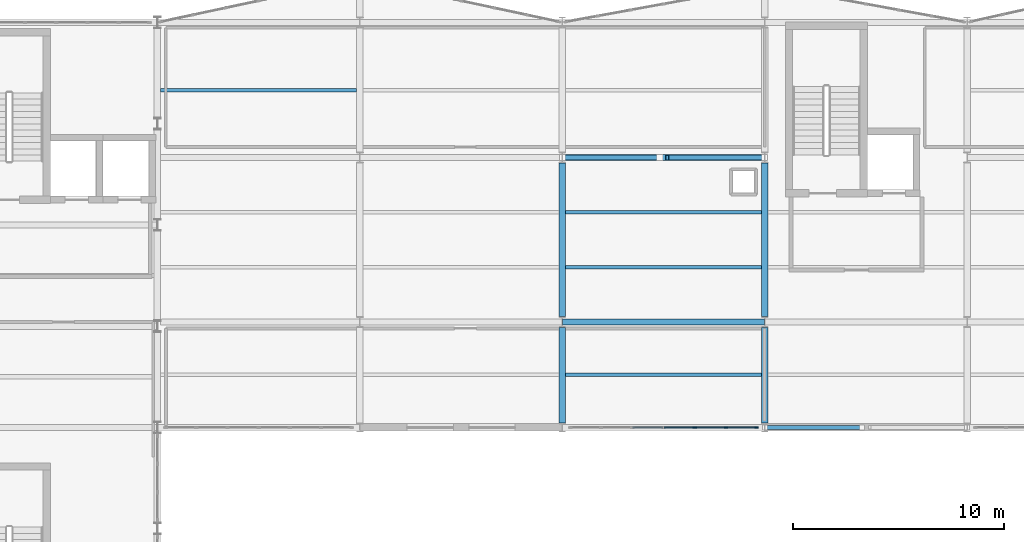
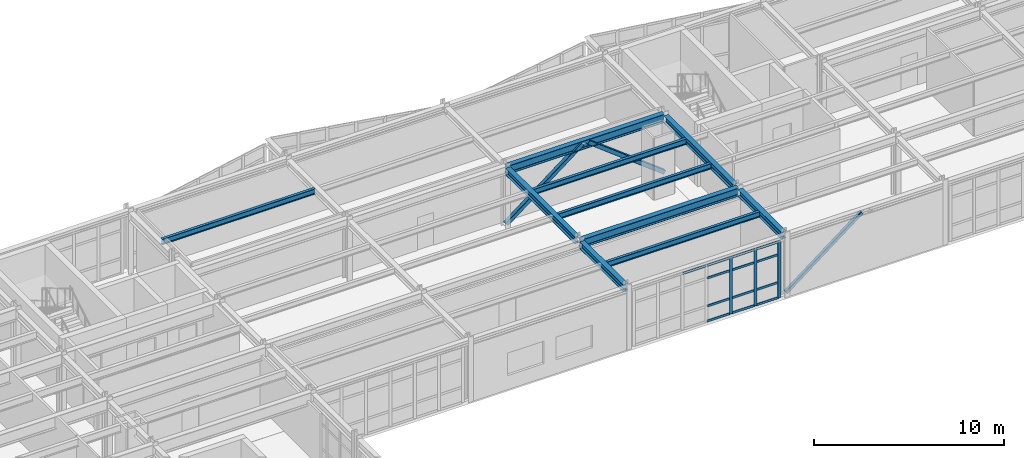
# One storey, part 36 of 88: 19 members, 10 beams, 1 element without a shape of its own.
"""IFC4 building model written with IfcOpenShell, lengths in metres."""

from ifc_helpers import new_model, si_unit, direction, frame, origin, origin_2d, place, context, subcontext, project, spatial, rectangle, hollow_rectangle, i_section, extrude, material, layer, layer_set, material_profile, profile_set, type_object, element, aggregate, save


model = new_model("IFC4")

# Units and contexts
model_context = context("Model", 3, precision=1e-05, world=origin(), true_north=direction((0.0, 1.0)))
body_context = subcontext(model_context, "Body", "Model", "MODEL_VIEW")
ifc_project = project(units=[si_unit("LENGTHUNIT", "METRE"), si_unit("AREAUNIT", "SQUARE_METRE"), si_unit("VOLUMEUNIT", "CUBIC_METRE"), si_unit("PLANEANGLEUNIT", "RADIAN"), si_unit("MASSUNIT", "GRAM", prefix="KILO")], contexts=[model_context])

# Site, building, storey
site_placement = place(None, origin())
site = spatial("IfcSite", under=ifc_project, at=site_placement, CompositionType="ELEMENT")
building_placement = place(site_placement, origin())
building = spatial("IfcBuilding", under=site, at=building_placement, Name="Nordkorset Police Headquarters", CompositionType="ELEMENT")
storey_placement = place(building_placement, frame((0.0, 0.0, 9.449951171875)))
storey = spatial("IfcBuildingStorey", under=building, at=storey_placement, Name="L02", CompositionType="ELEMENT", Elevation=9.449951171875)

# Beams
ifc_material_1 = material(Name="Steel S355J2", Category="steel")
ifc_material_profile_1 = material_profile(ifc_material_1, i_section(OverallWidth=0.169921875, OverallDepth=0.360107421875, WebThickness=0.008056640625, FlangeThickness=0.0126953125, FilletRadius=0.01806640625, at=origin_2d()), Name="IPE 360")
ifc_profile_set_1 = profile_set([ifc_material_profile_1], Name="Steel S355J2")
beam_type_1 = type_object("IfcBeamType", Name="Beam_IPE_360", PredefinedType="BEAM", material=ifc_profile_set_1)
for number, where, z_axis, x_axis, name in (
    (1, (28.949951171875, 113.60009765625, 3.7900390625), (1.0, 0.0, 0.0), (0.0, 1.0, 0.0), "Composite Floor Beam V2 L02 0-2-1"),
    (2, (48.14990234375, 100.10009765625, 3.7900390625), (1.0, 0.0, 0.0), (0.0, 1.0, 0.0), "Composite Floor Beam V2 L02 2-0-1"),
    (3, (48.14990234375, 105.199951171875, 3.7900390625), (1.0, 0.0, 0.0), (0.0, 1.0, 0.0), "Composite Floor Beam V2 L02 2-1-1"),
    (4, (48.14990234375, 107.800048828125, 3.7900390625), (1.0, 0.0, 0.0), (0.0, 1.0, 0.0), "Composite Floor Beam V2 L02 2-1-2"),
):
    element("IfcBeam", number, at=place(storey_placement, frame(where, z_axis=z_axis, x_axis=x_axis)), inside=storey, type_object=beam_type_1, Name=name, PredefinedType="BEAM", context=body_context, shape_type="SweptSolid", body=[
        extrude(i_section(OverallWidth=0.169921875, OverallDepth=0.360107421875, WebThickness=0.008056640625, FlangeThickness=0.0126953125, FilletRadius=0.01806640625, at=origin_2d()), origin(), (0.0, 0.0, 1.0), 9.300048828125),
    ])

# Members
ifc_material_2 = material(Name="Steel S355J2", Category="steel")
ifc_material_profile_2 = material_profile(ifc_material_2, hollow_rectangle(XDim=0.199951171875, YDim=0.199951171875, WallThickness=0.010009765625, InnerFilletRadius=0.010009765625, OuterFilletRadius=0.02001953125, at=origin_2d()), Name="SHS 200x200x10")
ifc_profile_set_2 = profile_set([ifc_material_profile_2], Name="Steel S355J2")
member_type_1 = type_object("IfcMemberType", Name="Brace_SHS_200x200x10", PredefinedType="BRACE", material=ifc_profile_set_2)
member_1_placement = place(storey_placement, frame((57.606689453125, 97.60009765625, 0.199951171875), z_axis=(0.792510158713, 0.0, 0.609858711783), x_axis=(0.0, 1.0, 0.0)))
element("IfcMember", 5, at=member_1_placement, inside=storey, type_object=member_type_1, Name="Lateral Chevron Brace BF-EXT-V2S L02 D1", PredefinedType="BRACE", context=body_context, shape_type="SweptSolid", body=[
    extrude(hollow_rectangle(XDim=0.199951171875, YDim=0.199951171875, WallThickness=0.010009765625, InnerFilletRadius=0.010009765625, OuterFilletRadius=0.02001953125, at=origin_2d()), origin(), (0.0, 0.0, 1.0), 5.821044921875),
])
ifc_material_3 = material(Name="Steel S355J2", Category="steel")
ifc_material_profile_3 = material_profile(ifc_material_3, hollow_rectangle(XDim=0.25, YDim=0.25, WallThickness=0.012451171875, InnerFilletRadius=0.012451171875, OuterFilletRadius=0.02490234375, at=origin_2d()), Name="SHS 250x250x12.5")
ifc_profile_set_3 = profile_set([ifc_material_profile_3], Name="Steel S355J2")
member_type_2 = type_object("IfcMemberType", Name="Brace_SHS_250x250x12.5", PredefinedType="BRACE", material=ifc_profile_set_3)
for number, where, z_axis, x_axis, name in (
    (6, (48.00732421875, 110.39990234375, 0.199951171875), (0.792478957841, 0.0, 0.609899255106), (0.0, 1.0, 0.0), "Lateral Chevron Brace BF-V2-A L02 D1"),
    (7, (57.5927734375, 110.39990234375, 0.199951171875), (-0.792478957841, 0.0, 0.609899255106), (0.0, -1.0, 0.0), "Lateral Chevron Brace BF-V2-A L02 D2"),
):
    element("IfcMember", number, at=place(storey_placement, frame(where, z_axis=z_axis, x_axis=x_axis)), inside=storey, type_object=member_type_2, Name=name, PredefinedType="BRACE", context=body_context, shape_type="SweptSolid", body=[
        extrude(hollow_rectangle(XDim=0.25, YDim=0.25, WallThickness=0.012451171875, InnerFilletRadius=0.012451171875, OuterFilletRadius=0.02490234375, at=origin_2d()), origin(), (0.0, 0.0, 1.0), 5.82080078125),
    ])

# Curtain wall, members
ifc_material_4 = material(Name="Aluminium alloy AW-6060", Category="aluminium")
ifc_layer = layer(ifc_material_4, 0.179931640625, Name="Aluminium alloy AW-6060")
ifc_layer_set = layer_set([ifc_layer], Name="Aluminium alloy AW-6060")
curtain_wall_type = type_object("IfcCurtainWallType", Name="CW_Unit_888x364", PredefinedType="USERDEFINED", material=ifc_layer_set)
curtain_wall_placement = place(storey_placement, origin())
curtain_wall = element("IfcCurtainWall", 8, at=curtain_wall_placement, inside=storey, type_object=curtain_wall_type, Name="Unitised Curtain Wall L02 V2S-2", ObjectType="UNITISED CURTAIN WALL", PredefinedType="USERDEFINED")
ifc_material_5 = material(Name="Aluminium alloy AW-6060", Category="aluminium")
ifc_material_profile_4 = material_profile(ifc_material_5, rectangle(XDim=0.06494140625, YDim=0.179931640625, at=origin_2d()), Name="ALU MULL 65x180")
ifc_profile_set_4 = profile_set([ifc_material_profile_4], Name="Aluminium alloy AW-6060")
member_type_3 = type_object("IfcMemberType", Name="CW_Mullion_65x180", PredefinedType="MULLION", material=ifc_profile_set_4)
member_2_placement = place(storey_placement, frame((54.280029296875, 97.60009765625, 0.0), z_axis=(0.0, 0.0, 1.0), x_axis=(0.0, 1.0, 0.0)))
member_2 = element("IfcMember", 9, at=member_2_placement, type_object=member_type_3, Name="CW-53 mullion 5", PredefinedType="MULLION", context=body_context, shape_type="SweptSolid", body=[
    extrude(rectangle(XDim=0.06494140625, YDim=0.179931640625, at=origin_2d()), origin(), (0.0, 0.0, 1.0), 3.64013671875),
])
member_3_placement = place(storey_placement, frame((55.760009765625, 97.60009765625, 0.0), z_axis=(0.0, 0.0, 1.0), x_axis=(0.0, 1.0, 0.0)))
member_3 = element("IfcMember", 10, at=member_3_placement, type_object=member_type_3, Name="CW-53 mullion 6", PredefinedType="MULLION", context=body_context, shape_type="SweptSolid", body=[
    extrude(rectangle(XDim=0.06494140625, YDim=0.179931640625, at=origin_2d()), origin(), (0.0, 0.0, 1.0), 3.64013671875),
])
member_4_placement = place(storey_placement, frame((57.20751953125, 97.60009765625, 0.0), z_axis=(0.0, 0.0, 1.0), x_axis=(0.0, 1.0, 0.0)))
member_4 = element("IfcMember", 11, at=member_4_placement, type_object=member_type_3, Name="CW-53 mullion 7", PredefinedType="MULLION", context=body_context, shape_type="SweptSolid", body=[
    extrude(rectangle(XDim=0.06494140625, YDim=0.179931640625, at=origin_2d()), origin(), (0.0, 0.0, 1.0), 3.64013671875),
])
ifc_material_6 = material(Name="Aluminium alloy AW-6060", Category="aluminium")
ifc_material_profile_5 = material_profile(ifc_material_6, rectangle(XDim=0.06494140625, YDim=0.139892578125, at=origin_2d()), Name="ALU TRAN 65x140")
ifc_profile_set_5 = profile_set([ifc_material_profile_5], Name="Aluminium alloy AW-6060")
member_type_4 = type_object("IfcMemberType", Name="CW_Transom_65x140", PredefinedType="USERDEFINED", material=ifc_profile_set_5)
member_5_placement = place(storey_placement, frame((51.3525390625, 97.60009765625, 3.607666015625), z_axis=(1.0, 0.0, 0.0), x_axis=(0.0, 1.0, 0.0)))
member_5 = element("IfcMember", 12, at=member_5_placement, type_object=member_type_4, Name="CW-53 transom 3.4", ObjectType="TRANSOM", PredefinedType="USERDEFINED", context=body_context, shape_type="SweptSolid", body=[
    extrude(rectangle(XDim=0.06494140625, YDim=0.139892578125, at=origin_2d()), origin(), (0.0, 0.0, 1.0), 1.4150390625),
])
member_6_placement = place(storey_placement, frame((52.83251953125, 97.60009765625, 0.032470703125), z_axis=(1.0, 0.0, 0.0), x_axis=(0.0, 1.0, 0.0)))
member_6 = element("IfcMember", 13, at=member_6_placement, type_object=member_type_4, Name="CW-53 transom 4.1", ObjectType="TRANSOM", PredefinedType="USERDEFINED", context=body_context, shape_type="SweptSolid", body=[
    extrude(rectangle(XDim=0.06494140625, YDim=0.139892578125, at=origin_2d()), origin(), (0.0, 0.0, 1.0), 1.4150390625),
])
member_7_placement = place(storey_placement, frame((52.83251953125, 97.60009765625, 1.0), z_axis=(1.0, 0.0, 0.0), x_axis=(0.0, 1.0, 0.0)))
member_7 = element("IfcMember", 14, at=member_7_placement, type_object=member_type_4, Name="CW-53 transom 4.2", ObjectType="TRANSOM", PredefinedType="USERDEFINED", context=body_context, shape_type="SweptSolid", body=[
    extrude(rectangle(XDim=0.06494140625, YDim=0.139892578125, at=origin_2d()), origin(), (0.0, 0.0, 1.0), 1.4150390625),
])
member_8_placement = place(storey_placement, frame((52.83251953125, 97.60009765625, 2.7900390625), z_axis=(1.0, 0.0, 0.0), x_axis=(0.0, 1.0, 0.0)))
member_8 = element("IfcMember", 15, at=member_8_placement, type_object=member_type_4, Name="CW-53 transom 4.3", ObjectType="TRANSOM", PredefinedType="USERDEFINED", context=body_context, shape_type="SweptSolid", body=[
    extrude(rectangle(XDim=0.06494140625, YDim=0.139892578125, at=origin_2d()), origin(), (0.0, 0.0, 1.0), 1.4150390625),
])
member_9_placement = place(storey_placement, frame((52.83251953125, 97.60009765625, 3.607666015625), z_axis=(1.0, 0.0, 0.0), x_axis=(0.0, 1.0, 0.0)))
member_9 = element("IfcMember", 16, at=member_9_placement, type_object=member_type_4, Name="CW-53 transom 4.4", ObjectType="TRANSOM", PredefinedType="USERDEFINED", context=body_context, shape_type="SweptSolid", body=[
    extrude(rectangle(XDim=0.06494140625, YDim=0.139892578125, at=origin_2d()), origin(), (0.0, 0.0, 1.0), 1.4150390625),
])
member_10_placement = place(storey_placement, frame((54.3125, 97.60009765625, 0.032470703125), z_axis=(1.0, 0.0, 0.0), x_axis=(0.0, 1.0, 0.0)))
member_10 = element("IfcMember", 17, at=member_10_placement, type_object=member_type_4, Name="CW-53 transom 5.1", ObjectType="TRANSOM", PredefinedType="USERDEFINED", context=body_context, shape_type="SweptSolid", body=[
    extrude(rectangle(XDim=0.06494140625, YDim=0.139892578125, at=origin_2d()), origin(), (0.0, 0.0, 1.0), 1.4150390625),
])
member_11_placement = place(storey_placement, frame((54.3125, 97.60009765625, 1.0), z_axis=(1.0, 0.0, 0.0), x_axis=(0.0, 1.0, 0.0)))
member_11 = element("IfcMember", 18, at=member_11_placement, type_object=member_type_4, Name="CW-53 transom 5.2", ObjectType="TRANSOM", PredefinedType="USERDEFINED", context=body_context, shape_type="SweptSolid", body=[
    extrude(rectangle(XDim=0.06494140625, YDim=0.139892578125, at=origin_2d()), origin(), (0.0, 0.0, 1.0), 1.4150390625),
])
member_12_placement = place(storey_placement, frame((54.3125, 97.60009765625, 2.7900390625), z_axis=(1.0, 0.0, 0.0), x_axis=(0.0, 1.0, 0.0)))
member_12 = element("IfcMember", 19, at=member_12_placement, type_object=member_type_4, Name="CW-53 transom 5.3", ObjectType="TRANSOM", PredefinedType="USERDEFINED", context=body_context, shape_type="SweptSolid", body=[
    extrude(rectangle(XDim=0.06494140625, YDim=0.139892578125, at=origin_2d()), origin(), (0.0, 0.0, 1.0), 1.4150390625),
])
member_13_placement = place(storey_placement, frame((54.3125, 97.60009765625, 3.607666015625), z_axis=(1.0, 0.0, 0.0), x_axis=(0.0, 1.0, 0.0)))
member_13 = element("IfcMember", 20, at=member_13_placement, type_object=member_type_4, Name="CW-53 transom 5.4", ObjectType="TRANSOM", PredefinedType="USERDEFINED", context=body_context, shape_type="SweptSolid", body=[
    extrude(rectangle(XDim=0.06494140625, YDim=0.139892578125, at=origin_2d()), origin(), (0.0, 0.0, 1.0), 1.4150390625),
])
member_14_placement = place(storey_placement, frame((55.79248046875, 97.60009765625, 0.032470703125), z_axis=(1.0, 0.0, 0.0), x_axis=(0.0, 1.0, 0.0)))
member_14 = element("IfcMember", 21, at=member_14_placement, type_object=member_type_4, Name="CW-53 transom 6.1", ObjectType="TRANSOM", PredefinedType="USERDEFINED", context=body_context, shape_type="SweptSolid", body=[
    extrude(rectangle(XDim=0.06494140625, YDim=0.139892578125, at=origin_2d()), origin(), (0.0, 0.0, 1.0), 1.382568359375),
])
member_15_placement = place(storey_placement, frame((55.79248046875, 97.60009765625, 1.0), z_axis=(1.0, 0.0, 0.0), x_axis=(0.0, 1.0, 0.0)))
member_15 = element("IfcMember", 22, at=member_15_placement, type_object=member_type_4, Name="CW-53 transom 6.2", ObjectType="TRANSOM", PredefinedType="USERDEFINED", context=body_context, shape_type="SweptSolid", body=[
    extrude(rectangle(XDim=0.06494140625, YDim=0.139892578125, at=origin_2d()), origin(), (0.0, 0.0, 1.0), 1.382568359375),
])
member_16_placement = place(storey_placement, frame((55.79248046875, 97.60009765625, 2.7900390625), z_axis=(1.0, 0.0, 0.0), x_axis=(0.0, 1.0, 0.0)))
member_16 = element("IfcMember", 23, at=member_16_placement, type_object=member_type_4, Name="CW-53 transom 6.3", ObjectType="TRANSOM", PredefinedType="USERDEFINED", context=body_context, shape_type="SweptSolid", body=[
    extrude(rectangle(XDim=0.06494140625, YDim=0.139892578125, at=origin_2d()), origin(), (0.0, 0.0, 1.0), 1.382568359375),
])
member_17_placement = place(storey_placement, frame((55.79248046875, 97.60009765625, 3.607666015625), z_axis=(1.0, 0.0, 0.0), x_axis=(0.0, 1.0, 0.0)))
member_17 = element("IfcMember", 24, at=member_17_placement, type_object=member_type_4, Name="CW-53 transom 6.4", ObjectType="TRANSOM", PredefinedType="USERDEFINED", context=body_context, shape_type="SweptSolid", body=[
    extrude(rectangle(XDim=0.06494140625, YDim=0.139892578125, at=origin_2d()), origin(), (0.0, 0.0, 1.0), 1.382568359375),
])
aggregate(curtain_wall, [member_2, member_3, member_4, member_5, member_6, member_7, member_8, member_9, member_10, member_11, member_12, member_13, member_14, member_15, member_16, member_17])

# Beams
ifc_material_7 = material(Name="Steel S355J2", Category="steel")
ifc_material_profile_6 = material_profile(ifc_material_7, i_section(OverallWidth=0.300048828125, OverallDepth=0.43994140625, WebThickness=0.011474609375, FlangeThickness=0.02099609375, FilletRadius=0.027099609375, at=origin_2d()), Name="HEA 450")
ifc_profile_set_6 = profile_set([ifc_material_profile_6], Name="Steel S355J2")
beam_type_2 = type_object("IfcBeamType", Name="Girder_HEA_450", PredefinedType="USERDEFINED", material=ifc_profile_set_6)
beam_1_placement = place(storey_placement, frame((48.0, 97.800048828125, 3.75), z_axis=(0.0, 1.0, 0.0), x_axis=(-1.0, 0.0, 0.0)))
element("IfcBeam", 25, at=beam_1_placement, inside=storey, type_object=beam_type_2, Name="Girder V2 L02 GY-2-0", ObjectType="GIRDER", PredefinedType="USERDEFINED", context=body_context, shape_type="SweptSolid", body=[
    extrude(i_section(OverallWidth=0.300048828125, OverallDepth=0.43994140625, WebThickness=0.011474609375, FlangeThickness=0.02099609375, FilletRadius=0.027099609375, at=origin_2d()), origin(), (0.0, 0.0, 1.0), 4.550048828125),
])
beam_2_placement = place(storey_placement, frame((48.0, 102.85009765625, 3.75), z_axis=(0.0, 1.0, 0.0), x_axis=(-1.0, 0.0, 0.0)))
element("IfcBeam", 26, at=beam_2_placement, inside=storey, type_object=beam_type_2, Name="Girder V2 L02 GY-2-1", ObjectType="GIRDER", PredefinedType="USERDEFINED", context=body_context, shape_type="SweptSolid", body=[
    extrude(i_section(OverallWidth=0.300048828125, OverallDepth=0.43994140625, WebThickness=0.011474609375, FlangeThickness=0.02099609375, FilletRadius=0.027099609375, at=origin_2d()), origin(), (0.0, 0.0, 1.0), 7.2998046875),
])
beam_3_placement = place(storey_placement, frame((57.60009765625, 97.800048828125, 3.75), z_axis=(0.0, 1.0, 0.0), x_axis=(-1.0, 0.0, 0.0)))
element("IfcBeam", 27, at=beam_3_placement, inside=storey, type_object=beam_type_2, Name="Girder V2 L02 GY-3-0", ObjectType="GIRDER", PredefinedType="USERDEFINED", context=body_context, shape_type="SweptSolid", body=[
    extrude(i_section(OverallWidth=0.300048828125, OverallDepth=0.43994140625, WebThickness=0.011474609375, FlangeThickness=0.02099609375, FilletRadius=0.027099609375, at=origin_2d()), origin(), (0.0, 0.0, 1.0), 4.550048828125),
])
beam_4_placement = place(storey_placement, frame((57.60009765625, 102.85009765625, 3.75), z_axis=(0.0, 1.0, 0.0), x_axis=(-1.0, 0.0, 0.0)))
element("IfcBeam", 28, at=beam_4_placement, inside=storey, type_object=beam_type_2, Name="Girder V2 L02 GY-3-1", ObjectType="GIRDER", PredefinedType="USERDEFINED", context=body_context, shape_type="SweptSolid", body=[
    extrude(i_section(OverallWidth=0.300048828125, OverallDepth=0.43994140625, WebThickness=0.011474609375, FlangeThickness=0.02099609375, FilletRadius=0.027099609375, at=origin_2d()), origin(), (0.0, 0.0, 1.0), 7.2998046875),
])
ifc_material_8 = material(Name="Steel S355J2", Category="steel")
ifc_material_profile_7 = material_profile(ifc_material_8, i_section(OverallWidth=0.300048828125, OverallDepth=0.5400390625, WebThickness=0.012451171875, FlangeThickness=0.02392578125, FilletRadius=0.027099609375, at=origin_2d()), Name="HEA 550")
ifc_profile_set_7 = profile_set([ifc_material_profile_7], Name="Steel S355J2")
beam_type_3 = type_object("IfcBeamType", Name="Girder_HEA_550", PredefinedType="USERDEFINED", material=ifc_profile_set_7)
for number, where, z_axis, x_axis, name in (
    (29, (48.00732421875, 102.60009765625, 3.699951171875), (1.0, 0.0, 0.0), (0.0, 1.0, 0.0), "Girder V2 L02 GX-1-2"),
    (30, (48.00732421875, 110.39990234375, 3.699951171875), (1.0, 0.0, 0.0), (0.0, 1.0, 0.0), "Girder V2 L02 GX-2-2"),
):
    element("IfcBeam", number, at=place(storey_placement, frame(where, z_axis=z_axis, x_axis=x_axis)), inside=storey, type_object=beam_type_3, Name=name, ObjectType="GIRDER", PredefinedType="USERDEFINED", context=body_context, shape_type="SweptSolid", body=[
        extrude(i_section(OverallWidth=0.300048828125, OverallDepth=0.5400390625, WebThickness=0.012451171875, FlangeThickness=0.02392578125, FilletRadius=0.027099609375, at=origin_2d()), origin(), (0.0, 0.0, 1.0), 9.58544921875),
    ])

save(model, "model.ifc")
